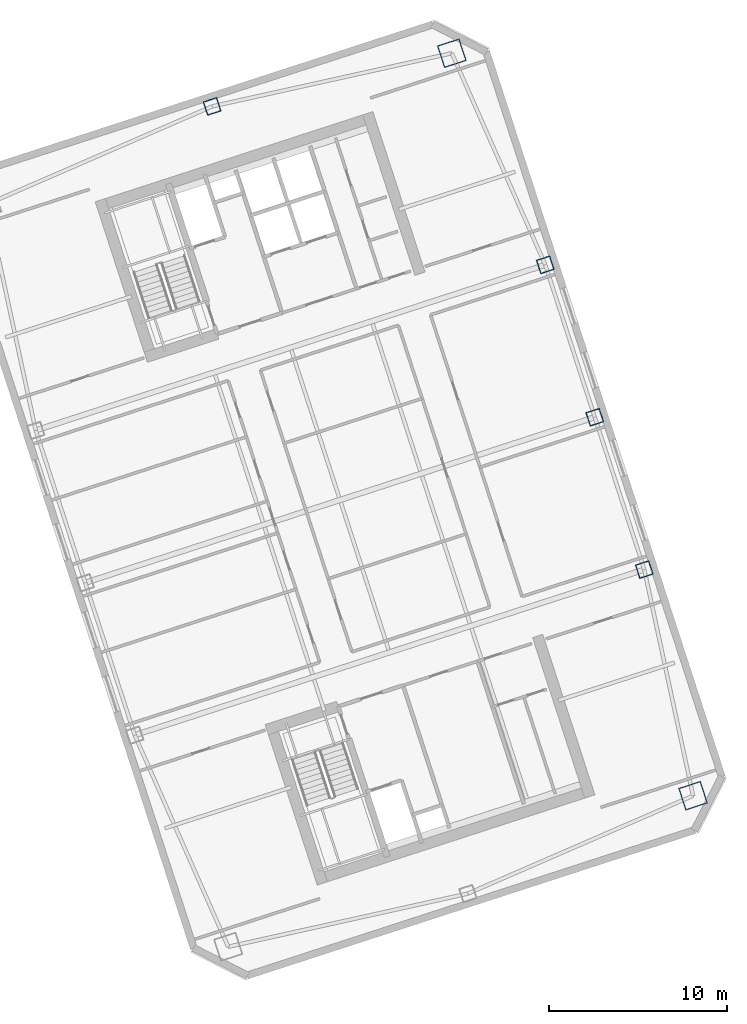
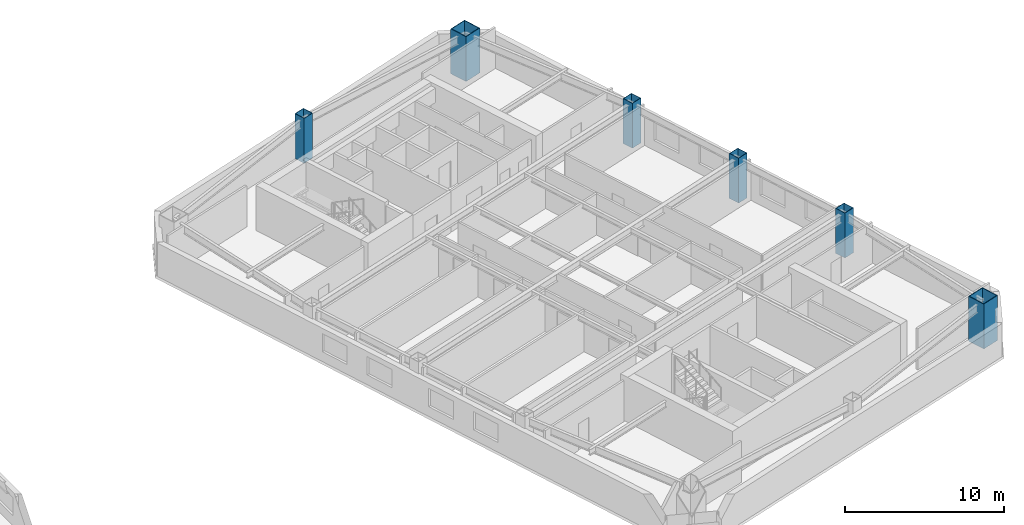
# One storey, part 2 of 13: 6 columns.
"""IFC4 building model written with IfcOpenShell, lengths in metres."""

from ifc_helpers import new_model, si_unit, direction, frame, origin, origin_2d, place, context, subcontext, project, spatial, hollow_rectangle, extrude, material, material_profile, profile_set, type_object, element, save


model = new_model("IFC4")

# Units and contexts
model_context = context("Model", 3, precision=1e-05, world=origin(), true_north=direction((0.0, 1.0)))
body_context = subcontext(model_context, "Body", "Model", "MODEL_VIEW")
ifc_project = project(units=[si_unit("LENGTHUNIT", "METRE"), si_unit("AREAUNIT", "SQUARE_METRE"), si_unit("VOLUMEUNIT", "CUBIC_METRE"), si_unit("PLANEANGLEUNIT", "RADIAN"), si_unit("MASSUNIT", "GRAM", prefix="KILO")], contexts=[model_context])

# Site, building, storey
site_placement = place(None, origin())
site = spatial("IfcSite", under=ifc_project, at=site_placement, CompositionType="ELEMENT")
building_placement = place(site_placement, origin())
building = spatial("IfcBuilding", under=site, at=building_placement, Name="Qiaolan Cultural Towers", CompositionType="ELEMENT")
storey_placement = place(building_placement, frame((0.0, 0.0, 180.550048828125)))
storey = spatial("IfcBuildingStorey", under=building, at=storey_placement, Name="L48", CompositionType="ELEMENT", Elevation=180.550048828125)

# Columns
ifc_material_1 = material(Name="Steel Q390GJB", Category="steel")
ifc_material_profile_1 = material_profile(ifc_material_1, hollow_rectangle(XDim=1.300048828125, YDim=1.300048828125, WallThickness=0.044921875, at=origin_2d()), Name="BOX1300x1300x45")
ifc_profile_set_1 = profile_set([ifc_material_profile_1], Name="Steel Q390GJB")
column_type_1 = type_object("IfcColumnType", Name="COL-BOX1300x1300x45", PredefinedType="COLUMN", material=ifc_profile_set_1)
for number, where, z_axis, x_axis, name in (
    (1, (109.834716796875, 17.38623046875, 0.0), (0.0, 0.0, 1.0), (0.951056516295, 0.309016994375, 0.0), "L48 T2 Perimeter Column MC-SE"),
    (2, (96.28125, 59.099365234375, 0.0), (0.0, 0.0, 1.0), (0.951056516295, 0.309016994375, 0.0), "L48 T2 Perimeter Column MC-NE"),
):
    element("IfcColumn", number, at=place(storey_placement, frame(where, z_axis=z_axis, x_axis=x_axis)), inside=storey, type_object=column_type_1, Name=name, PredefinedType="COLUMN", context=body_context, shape_type="SweptSolid", body=[
        extrude(hollow_rectangle(XDim=1.300048828125, YDim=1.300048828125, WallThickness=0.044921875, at=origin_2d()), origin(), (0.0, 0.0, 1.0), 3.450927734375),
    ])
ifc_material_2 = material(Name="Steel Q355B", Category="steel")
ifc_material_profile_2 = material_profile(ifc_material_2, hollow_rectangle(XDim=0.800048828125, YDim=0.800048828125, WallThickness=0.028076171875, at=origin_2d()), Name="BOX800x800x28")
ifc_profile_set_2 = profile_set([ifc_material_profile_2], Name="Steel Q355B")
column_type_2 = type_object("IfcColumnType", Name="COL-BOX800x800x28", PredefinedType="COLUMN", material=ifc_profile_set_2)
for number, where, z_axis, x_axis, name in (
    (3, (107.094482421875, 30.09130859375, 0.0), (0.0, 0.0, 1.0), (0.951056516295, 0.309016994375, 0.0), "L48 T2 Perimeter Column PC-E1"),
    (4, (104.3134765625, 38.650634765625, 0.0), (0.0, 0.0, 1.0), (0.951056516295, 0.309016994375, 0.0), "L48 T2 Perimeter Column PC-E2"),
    (5, (101.5322265625, 47.210205078125, 0.0), (0.0, 0.0, 1.0), (0.951056516295, 0.309016994375, 0.0), "L48 T2 Perimeter Column PC-E3"),
    (6, (82.8154296875, 56.112060546875, 0.0), (0.0, 0.0, 1.0), (0.951056516295, 0.309016994375, 0.0), "L48 T2 Perimeter Column PC-N0"),
):
    element("IfcColumn", number, at=place(storey_placement, frame(where, z_axis=z_axis, x_axis=x_axis)), inside=storey, type_object=column_type_2, Name=name, PredefinedType="COLUMN", context=body_context, shape_type="SweptSolid", body=[
        extrude(hollow_rectangle(XDim=0.800048828125, YDim=0.800048828125, WallThickness=0.028076171875, at=origin_2d()), origin(), (0.0, 0.0, 1.0), 3.450927734375),
    ])

save(model, "model.ifc")
